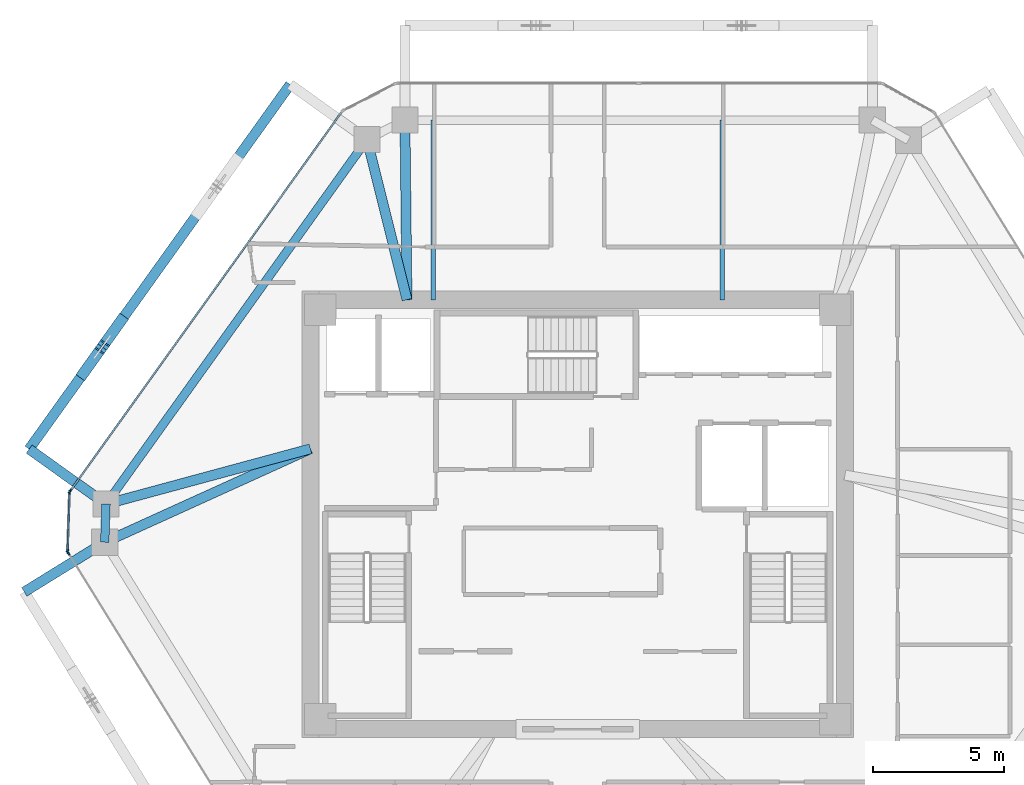
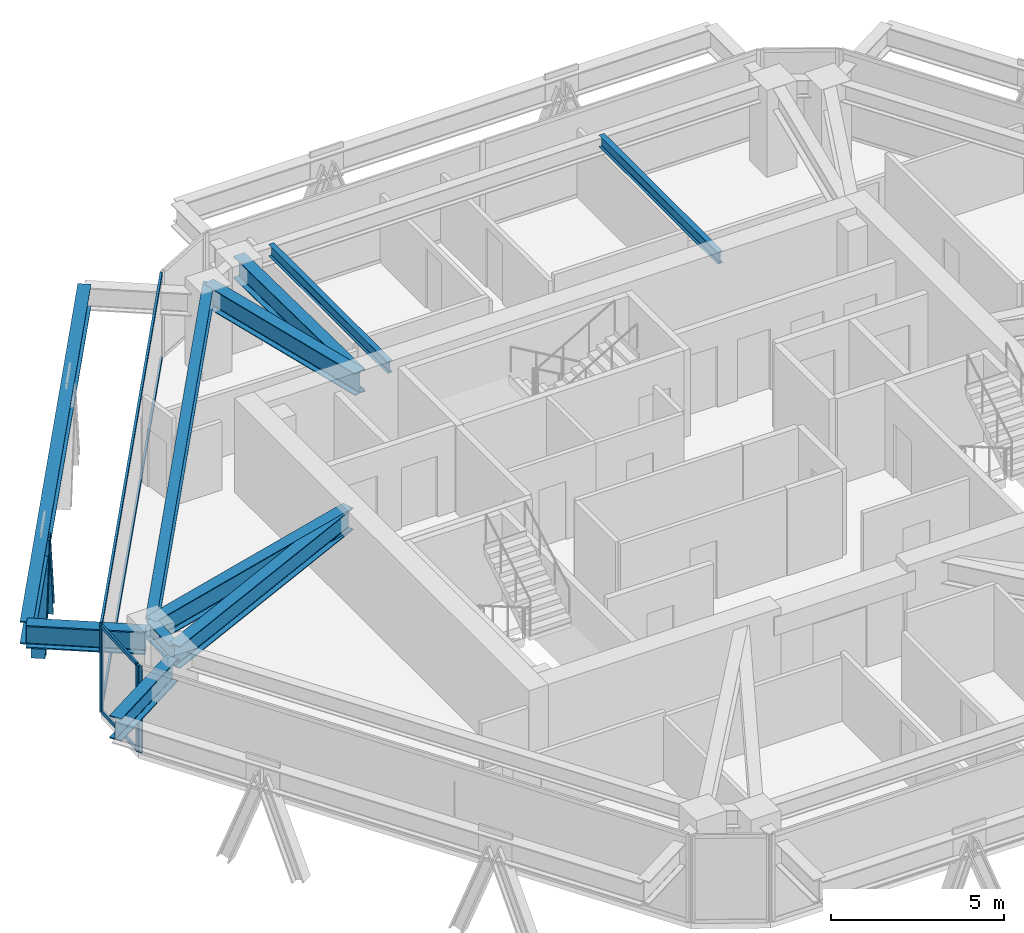
# One storey, part 4 of 14: 11 beams, 10 members, 3 elements without a shape of their own.
"""IFC4 building model written with IfcOpenShell, lengths in metres."""

from ifc_helpers import new_model, si_unit, direction, frame, origin, origin_2d, place, context, subcontext, project, spatial, rectangle, i_section, extrude, source, transform, mapped, material, layer, layer_set, material_profile, profile_set, type_object, type_shapes, element, aggregate, save


model = new_model("IFC4")

# Units and contexts
model_context = context("Model", 3, precision=1e-05, world=origin(), true_north=direction((0.0, 1.0)))
body_context = subcontext(model_context, "Body", "Model", "MODEL_VIEW")
ifc_project = project(units=[si_unit("LENGTHUNIT", "METRE"), si_unit("AREAUNIT", "SQUARE_METRE"), si_unit("VOLUMEUNIT", "CUBIC_METRE"), si_unit("PLANEANGLEUNIT", "RADIAN"), si_unit("MASSUNIT", "GRAM", prefix="KILO")], contexts=[model_context])

# Site, building, storey
site_placement = place(None, origin())
site = spatial("IfcSite", under=ifc_project, at=site_placement, CompositionType="ELEMENT")
building_placement = place(site_placement, origin())
building = spatial("IfcBuilding", under=site, at=building_placement, Name="Durnholm Broadcast Tower", CompositionType="ELEMENT")
storey_placement = place(building_placement, frame((0.0, 0.0, 187.0)))
storey = spatial("IfcBuildingStorey", under=building, at=storey_placement, Name="L51", CompositionType="ELEMENT", Elevation=187.0)

# Beams
ifc_material_1 = material(Name="Steel ASTM A992 Grade 50", Category="steel")
ifc_material_profile_1 = material_profile(ifc_material_1, i_section(OverallWidth=0.385009765625, OverallDepth=0.802978515625, WebThickness=0.023681640625, FlangeThickness=0.0419921875, FilletRadius=0.032958984375, at=origin_2d()), Name="W30X261")
ifc_profile_set_1 = profile_set([ifc_material_profile_1], Name="Steel ASTM A992 Grade 50")
beam_type_1 = type_object("IfcBeamType", Name="BM-EXO-TIE", PredefinedType="USERDEFINED", material=ifc_profile_set_1)
shared_shape_1 = source(origin(), body_context, "Body", "SweptSolid", [
    extrude(i_section(OverallWidth=0.385009765625, OverallDepth=0.802978515625, WebThickness=0.023681640625, FlangeThickness=0.0419921875, FilletRadius=0.032958984375, at=origin_2d()), origin(), (0.0, 0.0, 1.0), 3.4560546875),
])
beam_1_placement = place(storey_placement, frame((-18.131591796875, -1.13232421875, 2.30859375), z_axis=(-0.850662348375, -0.525712439512, 0.0), x_axis=(0.525712439512, -0.850662348375, 0.0)))
element("IfcBeam", 1, at=beam_1_placement, inside=storey, type_object=beam_type_1, Name="L51 exoskeleton stand-off tie bracket F6.1", ObjectType="GIRDER", PredefinedType="USERDEFINED", context=body_context, shape_type="MappedRepresentation", body=[
    mapped(shared_shape_1, transform((0.0, 0.0, 0.0), x_axis=(1.0, 0.0, 0.0), y_axis=(0.0, 1.0, 0.0), z_axis=(0.0, 0.0, 1.0), scale=1.0)),
])
shared_shape_2 = source(origin(), body_context, "Body", "SweptSolid", [
    extrude(i_section(OverallWidth=0.385009765625, OverallDepth=0.802978515625, WebThickness=0.023681640625, FlangeThickness=0.0419921875, FilletRadius=0.032958984375, at=origin_2d()), origin(), (0.0, 0.0, 1.0), 3.455810546875),
])
beam_2_placement = place(storey_placement, frame((-18.076904296875, 0.4794921875, 2.30859375), z_axis=(-0.813112485828, 0.582106592808, 0.0), x_axis=(-0.582106592808, -0.813112485828, 0.0)))
element("IfcBeam", 2, at=beam_2_placement, inside=storey, type_object=beam_type_1, Name="L51 exoskeleton stand-off tie bracket F5.2", ObjectType="GIRDER", PredefinedType="USERDEFINED", context=body_context, shape_type="MappedRepresentation", body=[
    mapped(shared_shape_2, transform((0.0, 0.0, 0.0), x_axis=(1.0, 0.0, 0.0), y_axis=(0.0, 1.0, 0.0), z_axis=(0.0, 0.0, 1.0), scale=1.0)),
])
ifc_material_profile_2 = material_profile(ifc_material_1, i_section(OverallWidth=0.3251953125, OverallDepth=0.6162109375, WebThickness=0.013916015625, FlangeThickness=0.021484375, FilletRadius=0.02783203125, at=origin_2d()), Name="W24X117")
ifc_profile_set_2 = profile_set([ifc_material_profile_2], Name="Steel ASTM A992 Grade 50")
beam_type_2 = type_object("IfcBeamType", Name="STL-SP-W24X117", PredefinedType="SPANDREL", material=ifc_profile_set_2)
shared_shape_3 = source(origin(), body_context, "Body", "SweptSolid", [
    extrude(i_section(OverallWidth=0.3251953125, OverallDepth=0.6162109375, WebThickness=0.013916015625, FlangeThickness=0.021484375, FilletRadius=0.02783203125, at=origin_2d()), origin(), (0.0, 0.0, 1.0), 1.452880859375),
])
beam_3_placement = place(storey_placement, frame((-18.009033203125, -1.056640625, 2.73681640625), z_axis=(0.03377359304, 0.999429509477, 0.0), x_axis=(-0.999429509477, 0.03377359304, 0.0)))
element("IfcBeam", 3, at=beam_3_placement, inside=storey, type_object=beam_type_2, Name="L51 perimeter spandrel girder 02", PredefinedType="SPANDREL", context=body_context, shape_type="MappedRepresentation", body=[
    mapped(shared_shape_3, transform((0.0, 0.0, 0.0), x_axis=(1.0, 0.0, 0.0), y_axis=(0.0, 1.0, 0.0), z_axis=(0.0, 0.0, 1.0), scale=1.0)),
])
shared_shape_4 = source(origin(), body_context, "Body", "SweptSolid", [
    extrude(i_section(OverallWidth=0.3251953125, OverallDepth=0.6162109375, WebThickness=0.013916015625, FlangeThickness=0.021484375, FilletRadius=0.02783203125, at=origin_2d()), origin(), (0.0, 0.0, 1.0), 17.07177734375),
])
type_shapes(beam_type_2, [shared_shape_3, shared_shape_4])
beam_4_placement = place(storey_placement, frame((-17.9599609375, 0.3955078125, 2.73681640625), z_axis=(0.582142843258, 0.813086532937, 0.0), x_axis=(-0.813086532937, 0.582142843258, 0.0)))
element("IfcBeam", 4, at=beam_4_placement, inside=storey, type_object=beam_type_2, Name="L51 perimeter spandrel girder 03", PredefinedType="SPANDREL", context=body_context, shape_type="MappedRepresentation", body=[
    mapped(shared_shape_4, transform((0.0, 0.0, 0.0), x_axis=(1.0, 0.0, 0.0), y_axis=(0.0, 1.0, 0.0), z_axis=(0.0, 0.0, 1.0), scale=1.0)),
])
shared_shape_5 = source(origin(), body_context, "Body", "SweptSolid", [
    extrude(i_section(OverallWidth=0.385009765625, OverallDepth=0.802978515625, WebThickness=0.023681640625, FlangeThickness=0.0419921875, FilletRadius=0.032958984375, at=origin_2d()), origin(), (0.0, 0.0, 1.0), 17.07177734375),
])
type_shapes(beam_type_1, [shared_shape_1, shared_shape_2, shared_shape_5])
beam_5_placement = place(storey_placement, frame((-10.948974609375, 16.3720703125, 2.30859375), z_axis=(-0.582133388739, -0.813093301974, 0.0), x_axis=(0.813093301974, -0.582133388739, 0.0)))
element("IfcBeam", 5, at=beam_5_placement, inside=storey, type_object=beam_type_1, Name="L51 exoskeleton collector spandrel F5", PredefinedType="SPANDREL", context=body_context, shape_type="MappedRepresentation", body=[
    mapped(shared_shape_5, transform((0.0, 0.0, 0.0), x_axis=(1.0, 0.0, 0.0), y_axis=(0.0, 1.0, 0.0), z_axis=(0.0, 0.0, 1.0), scale=1.0)),
])
ifc_material_profile_3 = material_profile(ifc_material_1, i_section(OverallWidth=0.380615234375, OverallDepth=0.773193359375, WebThickness=0.0166015625, FlangeThickness=0.027099609375, FilletRadius=0.032958984375, at=origin_2d()), Name="W30X173")
ifc_profile_set_3 = profile_set([ifc_material_profile_3], Name="Steel ASTM A992 Grade 50")
beam_type_3 = type_object("IfcBeamType", Name="STL-GR-W30X173", PredefinedType="USERDEFINED", material=ifc_profile_set_3)
shared_shape_6 = source(origin(), body_context, "Body", "SweptSolid", [
    extrude(i_section(OverallWidth=0.380615234375, OverallDepth=0.773193359375, WebThickness=0.0166015625, FlangeThickness=0.027099609375, FilletRadius=0.032958984375, at=origin_2d()), origin(), (0.0, 0.0, 1.0), 8.603515625),
])
beam_6_placement = place(storey_placement, frame((-10.175048828125, 2.5, 2.658447265625), z_axis=(-0.910552971728, -0.413392411248, 0.0), x_axis=(0.413392411248, -0.910552971728, 0.0)))
element("IfcBeam", 6, at=beam_6_placement, inside=storey, type_object=beam_type_3, Name="L51 radial primary floor girder 02", ObjectType="GIRDER", PredefinedType="USERDEFINED", context=body_context, shape_type="MappedRepresentation", body=[
    mapped(shared_shape_6, transform((0.0, 0.0, 0.0), x_axis=(1.0, 0.0, 0.0), y_axis=(0.0, 1.0, 0.0), z_axis=(0.0, 0.0, 1.0), scale=1.0)),
])
shared_shape_7 = source(origin(), body_context, "Body", "SweptSolid", [
    extrude(i_section(OverallWidth=0.380615234375, OverallDepth=0.773193359375, WebThickness=0.0166015625, FlangeThickness=0.027099609375, FilletRadius=0.032958984375, at=origin_2d()), origin(), (0.0, 0.0, 1.0), 8.064453125),
])
beam_7_placement = place(storey_placement, frame((-10.175048828125, 2.5, 2.658447265625), z_axis=(-0.96534896552, -0.260962401066, 0.0), x_axis=(0.260962401066, -0.96534896552, 0.0)))
element("IfcBeam", 7, at=beam_7_placement, inside=storey, type_object=beam_type_3, Name="L51 radial primary floor girder 03", ObjectType="GIRDER", PredefinedType="USERDEFINED", context=body_context, shape_type="MappedRepresentation", body=[
    mapped(shared_shape_7, transform((0.0, 0.0, 0.0), x_axis=(1.0, 0.0, 0.0), y_axis=(0.0, 1.0, 0.0), z_axis=(0.0, 0.0, 1.0), scale=1.0)),
])
shared_shape_8 = source(origin(), body_context, "Body", "SweptSolid", [
    extrude(i_section(OverallWidth=0.380615234375, OverallDepth=0.773193359375, WebThickness=0.0166015625, FlangeThickness=0.027099609375, FilletRadius=0.032958984375, at=origin_2d()), origin(), (0.0, 0.0, 1.0), 6.288330078125),
])
beam_8_placement = place(storey_placement, frame((-6.5, 8.175048828125, 2.658447265625), z_axis=(-0.241996604408, 0.970277096223, 0.0), x_axis=(-0.970277096223, -0.241996604408, 0.0)))
element("IfcBeam", 8, at=beam_8_placement, inside=storey, type_object=beam_type_3, Name="L51 radial primary floor girder 04", ObjectType="GIRDER", PredefinedType="USERDEFINED", context=body_context, shape_type="MappedRepresentation", body=[
    mapped(shared_shape_8, transform((0.0, 0.0, 0.0), x_axis=(1.0, 0.0, 0.0), y_axis=(0.0, 1.0, 0.0), z_axis=(0.0, 0.0, 1.0), scale=1.0)),
])
shared_shape_9 = source(origin(), body_context, "Body", "SweptSolid", [
    extrude(i_section(OverallWidth=0.380615234375, OverallDepth=0.773193359375, WebThickness=0.0166015625, FlangeThickness=0.027099609375, FilletRadius=0.032958984375, at=origin_2d()), origin(), (0.0, 0.0, 1.0), 6.843505859375),
])
type_shapes(beam_type_3, [shared_shape_6, shared_shape_7, shared_shape_8, shared_shape_9])
beam_9_placement = place(storey_placement, frame((-6.5, 8.175048828125, 2.658447265625), z_axis=(-0.011487343604, 0.999934018292, 0.0), x_axis=(-0.999934018292, -0.011487343604, 0.0)))
element("IfcBeam", 9, at=beam_9_placement, inside=storey, type_object=beam_type_3, Name="L51 radial primary floor girder 05", ObjectType="GIRDER", PredefinedType="USERDEFINED", context=body_context, shape_type="MappedRepresentation", body=[
    mapped(shared_shape_9, transform((0.0, 0.0, 0.0), x_axis=(1.0, 0.0, 0.0), y_axis=(0.0, 1.0, 0.0), z_axis=(0.0, 0.0, 1.0), scale=1.0)),
])
ifc_material_profile_4 = material_profile(ifc_material_1, i_section(OverallWidth=0.177734375, OverallDepth=0.40673828125, WebThickness=0.0078125, FlangeThickness=0.0126953125, FilletRadius=0.01904296875, at=origin_2d()), Name="W16X40")
ifc_profile_set_4 = profile_set([ifc_material_profile_4], Name="Steel ASTM A992 Grade 50")
beam_type_4 = type_object("IfcBeamType", Name="STL-BJ-W16X40", PredefinedType="JOIST", material=ifc_profile_set_4)
shared_shape_10 = source(origin(), body_context, "Body", "SweptSolid", [
    extrude(i_section(OverallWidth=0.177734375, OverallDepth=0.40673828125, WebThickness=0.0078125, FlangeThickness=0.0126953125, FilletRadius=0.01904296875, at=origin_2d()), origin(), (0.0, 0.0, 1.0), 6.843017578125),
])
type_shapes(beam_type_4, [shared_shape_10])
for number, where, z_axis, x_axis, name in (
    (10, (-5.5, 8.175048828125, 2.841796875), (0.0, 1.0, 0.0), (-1.0, 0.0, 0.0), "L51 secondary floor joist 3.2"),
    (11, (5.5, 8.175048828125, 2.841796875), (0.0, 1.0, 0.0), (-1.0, 0.0, 0.0), "L51 secondary floor joist 4.2"),
):
    element("IfcBeam", number, at=place(storey_placement, frame(where, z_axis=z_axis, x_axis=x_axis)), inside=storey, type_object=beam_type_4, Name=name, PredefinedType="JOIST", context=body_context, shape_type="MappedRepresentation", body=[
        mapped(shared_shape_10, transform((0.0, 0.0, 0.0), x_axis=(1.0, 0.0, 0.0), y_axis=(0.0, 1.0, 0.0), z_axis=(0.0, 0.0, 1.0), scale=1.0)),
    ])

# Members
ifc_material_2 = material(Name="Steel ASTM A913 Grade 65", Category="steel")
ifc_material_profile_5 = material_profile(ifc_material_2, i_section(OverallWidth=0.412109375, OverallDepth=0.434814453125, WebThickness=0.035888671875, FlangeThickness=0.057373046875, FilletRadius=0.030517578125, at=origin_2d()), Name="W14X311")
ifc_profile_set_5 = profile_set([ifc_material_profile_5], Name="Steel ASTM A913 Grade 65")
member_type_1 = type_object("IfcMemberType", Name="STL-DG-W14X311", PredefinedType="BRACE", material=ifc_profile_set_5)
shared_shape_11 = source(origin(), body_context, "Body", "SweptSolid", [
    extrude(i_section(OverallWidth=0.412109375, OverallDepth=0.434814453125, WebThickness=0.035888671875, FlangeThickness=0.057373046875, FilletRadius=0.030517578125, at=origin_2d()), origin(), (0.0, 0.0, 1.0), 3.523193359375),
])
type_shapes(member_type_1, [shared_shape_11])
for number, where, z_axis, x_axis, name in (
    (12, (-17.38623046875, 7.381103515625, -0.991455078125), (-0.203869234398, -0.284737826017, 0.936675880815), (0.813077820009, -0.582155012526, 0.0), "L51 stand-off diagrid brace F5.D2.1"),
    (13, (-18.822509765625, 5.374755859375, -0.991455078125), (0.203802816986, 0.284741848009, 0.936689111595), (-0.813171482985, 0.58202417412, 0.0), "L51 stand-off diagrid brace F5.D2.2"),
):
    element("IfcMember", number, at=place(storey_placement, frame(where, z_axis=z_axis, x_axis=x_axis)), inside=storey, type_object=member_type_1, Name=name, PredefinedType="BRACE", context=body_context, shape_type="MappedRepresentation", body=[
        mapped(shared_shape_11, transform((0.0, 0.0, 0.0), x_axis=(1.0, 0.0, 0.0), y_axis=(0.0, 1.0, 0.0), z_axis=(0.0, 0.0, 1.0), scale=1.0)),
    ])

# Curtain wall, members
ifc_material_3 = material(Name="Aluminium and Solar Control IGU", Category="aluminium")
ifc_layer_1 = layer(ifc_material_3, 0.1650390625)
ifc_layer_set_1 = layer_set([ifc_layer_1], Name="Aluminium and Solar Control IGU")
curtain_wall_type_1 = type_object("IfcCurtainWallType", Name="CW-SYS-5", PredefinedType="NOTDEFINED", material=ifc_layer_set_1)
curtain_wall_1_placement = place(storey_placement, origin())
curtain_wall_1 = element("IfcCurtainWall", 14, at=curtain_wall_1_placement, inside=storey, type_object=curtain_wall_type_1, Name="L51 curtain wall CW-CORNER CW-L51-CRN-01", PredefinedType="NOTDEFINED")
ifc_material_4 = material(Name="Aluminium 6063-T6", Category="aluminium")
ifc_material_profile_6 = material_profile(ifc_material_4, rectangle(XDim=0.06494140625, YDim=0.1650390625, at=origin_2d()), Name="CWM65X165")
ifc_profile_set_6 = profile_set([ifc_material_profile_6], Name="Aluminium 6063-T6")
member_type_2 = type_object("IfcMemberType", Name="CW-SYS-5-MUL", PredefinedType="MULLION", material=ifc_profile_set_6)
shared_shape_12 = source(origin(), body_context, "Body", "SweptSolid", [
    extrude(rectangle(XDim=0.06494140625, YDim=0.1650390625, at=origin_2d()), origin(), (0.0, 0.0, 1.0), 3.06005859375),
])
type_shapes(member_type_2, [shared_shape_12])
member_1_placement = place(storey_placement, frame((-19.421630859375, -1.39990234375, 0.0), z_axis=(0.0, 0.0, 1.0), x_axis=(-0.999424798802, 0.033912704699, 0.0)))
member_1 = element("IfcMember", 15, at=member_1_placement, type_object=member_type_2, Name="CW-CORNER mullion 1", PredefinedType="MULLION", context=body_context, shape_type="MappedRepresentation", body=[
    mapped(shared_shape_12, transform((0.0, 0.0, 0.0), x_axis=(1.0, 0.0, 0.0), y_axis=(0.0, 1.0, 0.0), z_axis=(0.0, 0.0, 1.0), scale=1.0)),
])
member_2_placement = place(storey_placement, frame((-19.345703125, 0.833740234375, 0.0), z_axis=(0.0, 0.0, 1.0), x_axis=(-0.999424798802, 0.033912704699, 0.0)))
member_2 = element("IfcMember", 16, at=member_2_placement, type_object=member_type_2, Name="CW-CORNER mullion 2", PredefinedType="MULLION", context=body_context, shape_type="MappedRepresentation", body=[
    mapped(shared_shape_12, transform((0.0, 0.0, 0.0), x_axis=(1.0, 0.0, 0.0), y_axis=(0.0, 1.0, 0.0), z_axis=(0.0, 0.0, 1.0), scale=1.0)),
])
ifc_material_profile_7 = material_profile(ifc_material_4, rectangle(XDim=0.06494140625, YDim=0.1298828125, at=origin_2d()), Name="CWT65X130")
ifc_profile_set_7 = profile_set([ifc_material_profile_7], Name="Aluminium 6063-T6")
member_type_3 = type_object("IfcMemberType", Name="CW-SYS-5-TRN", PredefinedType="USERDEFINED", material=ifc_profile_set_7)
shared_shape_13 = source(origin(), body_context, "Body", "SweptSolid", [
    extrude(rectangle(XDim=0.06494140625, YDim=0.1298828125, at=origin_2d()), origin(), (0.0, 0.0, 1.0), 2.169921875),
])
type_shapes(member_type_3, [shared_shape_13])
member_3_placement = place(storey_placement, frame((-19.42041015625, -1.367431640625, 0.032470703125), z_axis=(0.033865512339, 0.999426399028, 0.0), x_axis=(-0.999426399028, 0.033865512339, 0.0)))
member_3 = element("IfcMember", 17, at=member_3_placement, type_object=member_type_3, Name="CW-CORNER transom 1.1", ObjectType="TRANSOM", PredefinedType="USERDEFINED", context=body_context, shape_type="MappedRepresentation", body=[
    mapped(shared_shape_13, transform((0.0, 0.0, 0.0), x_axis=(1.0, 0.0, 0.0), y_axis=(0.0, 1.0, 0.0), z_axis=(0.0, 0.0, 1.0), scale=1.0)),
])
member_4_placement = place(storey_placement, frame((-19.42041015625, -1.367431640625, 3.027587890625), z_axis=(0.033865512339, 0.999426399028, 0.0), x_axis=(-0.999426399028, 0.033865512339, 0.0)))
member_4 = element("IfcMember", 18, at=member_4_placement, type_object=member_type_3, Name="CW-CORNER transom 1.2", ObjectType="TRANSOM", PredefinedType="USERDEFINED", context=body_context, shape_type="MappedRepresentation", body=[
    mapped(shared_shape_13, transform((0.0, 0.0, 0.0), x_axis=(1.0, 0.0, 0.0), y_axis=(0.0, 1.0, 0.0), z_axis=(0.0, 0.0, 1.0), scale=1.0)),
])
aggregate(curtain_wall_1, [member_1, member_2, member_3, member_4])

ifc_layer_2 = layer(ifc_material_3, 0.18994140625)
ifc_layer_set_2 = layer_set([ifc_layer_2], Name="Aluminium and Solar Control IGU")
curtain_wall_type_2 = type_object("IfcCurtainWallType", Name="CW-SYS-4", PredefinedType="NOTDEFINED", material=ifc_layer_set_2)
curtain_wall_2_placement = place(storey_placement, origin())
curtain_wall_2 = element("IfcCurtainWall", 19, at=curtain_wall_2_placement, inside=storey, type_object=curtain_wall_type_2, Name="L51 curtain wall CW-Z34-VIS CW-L51-F02", PredefinedType="NOTDEFINED")
ifc_material_profile_8 = material_profile(ifc_material_4, rectangle(XDim=0.070068359375, YDim=0.14990234375, at=origin_2d()), Name="CWT70X150")
ifc_profile_set_8 = profile_set([ifc_material_profile_8], Name="Aluminium 6063-T6")
member_type_4 = type_object("IfcMemberType", Name="CW-SYS-4-TRN", PredefinedType="USERDEFINED", material=ifc_profile_set_8)
shared_shape_14 = source(origin(), body_context, "Body", "SweptSolid", [
    extrude(rectangle(XDim=0.070068359375, YDim=0.14990234375, at=origin_2d()), origin(), (0.0, 0.0, 1.0), 17.69384765625),
])
type_shapes(member_type_4, [shared_shape_14])
member_5_placement = place(storey_placement, frame((-19.303955078125, 0.923095703125, 0.034912109375), z_axis=(0.582138438195, 0.813089686797, 0.0), x_axis=(-0.813089686797, 0.582138438195, 0.0)))
member_5 = element("IfcMember", 20, at=member_5_placement, type_object=member_type_4, Name="CW-Z34-VIS transom 1.1", ObjectType="TRANSOM", PredefinedType="USERDEFINED", context=body_context, shape_type="MappedRepresentation", body=[
    mapped(shared_shape_14, transform((0.0, 0.0, 0.0), x_axis=(1.0, 0.0, 0.0), y_axis=(0.0, 1.0, 0.0), z_axis=(0.0, 0.0, 1.0), scale=1.0)),
])
member_6_placement = place(storey_placement, frame((-19.303955078125, 0.923095703125, 3.02490234375), z_axis=(0.582138438195, 0.813089686797, 0.0), x_axis=(-0.813089686797, 0.582138438195, 0.0)))
member_6 = element("IfcMember", 21, at=member_6_placement, type_object=member_type_4, Name="CW-Z34-VIS transom 1.2", ObjectType="TRANSOM", PredefinedType="USERDEFINED", context=body_context, shape_type="MappedRepresentation", body=[
    mapped(shared_shape_14, transform((0.0, 0.0, 0.0), x_axis=(1.0, 0.0, 0.0), y_axis=(0.0, 1.0, 0.0), z_axis=(0.0, 0.0, 1.0), scale=1.0)),
])
ifc_material_profile_9 = material_profile(ifc_material_4, rectangle(XDim=0.070068359375, YDim=0.18994140625, at=origin_2d()), Name="CWM70X190")
ifc_profile_set_9 = profile_set([ifc_material_profile_9], Name="Aluminium 6063-T6")
member_type_5 = type_object("IfcMemberType", Name="CW-SYS-4-MUL", PredefinedType="MULLION", material=ifc_profile_set_9)
shared_shape_15 = source(origin(), body_context, "Body", "SweptSolid", [
    extrude(rectangle(XDim=0.070068359375, YDim=0.18994140625, at=origin_2d()), origin(), (0.0, 0.0, 1.0), 3.06005859375),
])
type_shapes(member_type_5, [shared_shape_15])
member_7_placement = place(storey_placement, frame((-19.32421875, 0.894775390625, 0.0), z_axis=(0.0, 0.0, 1.0), x_axis=(-0.813089262696, 0.582139030549, 0.0)))
member_7 = element("IfcMember", 22, at=member_7_placement, type_object=member_type_5, Name="CW-Z34-VIS mullion 1", PredefinedType="MULLION", context=body_context, shape_type="MappedRepresentation", body=[
    mapped(shared_shape_15, transform((0.0, 0.0, 0.0), x_axis=(1.0, 0.0, 0.0), y_axis=(0.0, 1.0, 0.0), z_axis=(0.0, 0.0, 1.0), scale=1.0)),
])
aggregate(curtain_wall_2, [member_7, member_5, member_6])

# Curtain wall, member
curtain_wall_3_placement = place(storey_placement, origin())
curtain_wall_3 = element("IfcCurtainWall", 23, at=curtain_wall_3_placement, inside=storey, type_object=curtain_wall_type_2, Name="L51 curtain wall CW-Z34-VIS CW-L51-F12", PredefinedType="NOTDEFINED")
member_8_placement = place(storey_placement, frame((-19.404296875, -1.462158203125, 0.0), z_axis=(0.0, 0.0, 1.0), x_axis=(-0.850671426092, -0.525697750452, 0.0)))
member_8 = element("IfcMember", 24, at=member_8_placement, type_object=member_type_5, Name="CW-Z34-VIS mullion 2", PredefinedType="MULLION", context=body_context, shape_type="MappedRepresentation", body=[
    mapped(shared_shape_15, transform((0.0, 0.0, 0.0), x_axis=(1.0, 0.0, 0.0), y_axis=(0.0, 1.0, 0.0), z_axis=(0.0, 0.0, 1.0), scale=1.0)),
])
aggregate(curtain_wall_3, [member_8])

save(model, "model.ifc")
